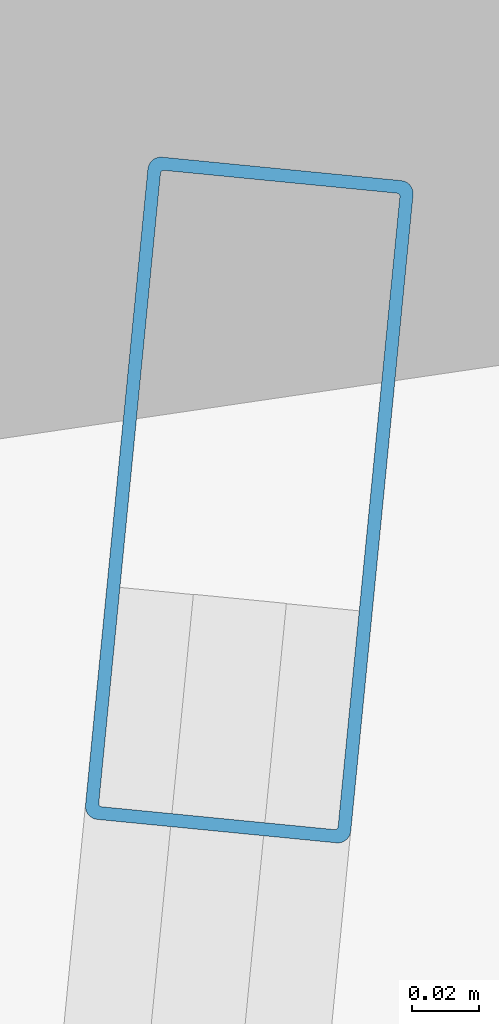
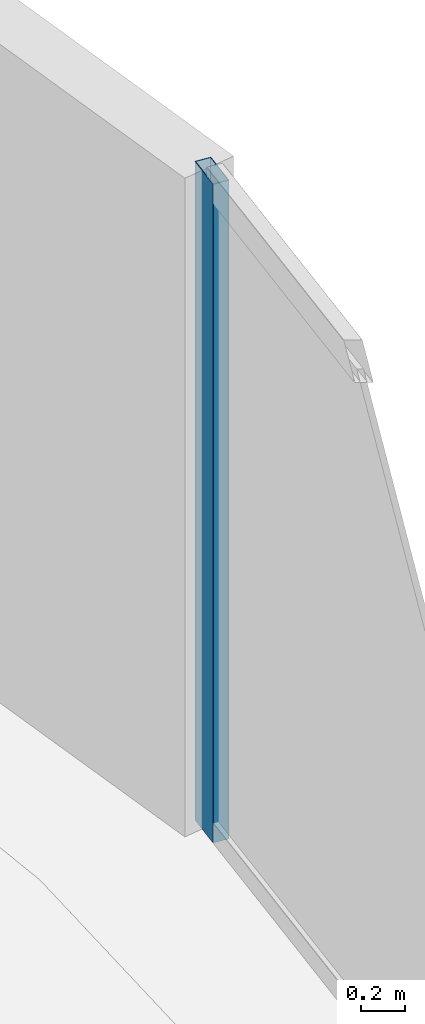
# One storey, part 11 of 25: 1 member, 1 element without a shape of its own.
"""IFC4 building model written with IfcOpenShell, lengths in metres."""

from ifc_helpers import new_model, si_unit, direction, frame, origin, origin_2d, place, context, subcontext, project, spatial, hollow_rectangle, extrude, material, layer, layer_set, material_profile, profile_set, type_object, element, aggregate, save


model = new_model("IFC4")

# Units and contexts
model_context = context("Model", 3, precision=1e-05, world=origin(), true_north=direction((0.0, 1.0)))
body_context = subcontext(model_context, "Body", "Model", "MODEL_VIEW")
ifc_project = project(units=[si_unit("LENGTHUNIT", "METRE"), si_unit("AREAUNIT", "SQUARE_METRE"), si_unit("VOLUMEUNIT", "CUBIC_METRE"), si_unit("PLANEANGLEUNIT", "RADIAN"), si_unit("MASSUNIT", "GRAM", prefix="KILO")], contexts=[model_context])

# Site, building, storey
site_placement = place(None, origin())
site = spatial("IfcSite", under=ifc_project, at=site_placement, CompositionType="ELEMENT")
building_placement = place(site_placement, origin())
building = spatial("IfcBuilding", under=site, at=building_placement, Name="Bramvorn Convention Spire", CompositionType="ELEMENT")
storey_placement = place(building_placement, frame((0.0, 0.0, 171.199951171875)))
storey = spatial("IfcBuildingStorey", under=building, at=storey_placement, Name="L43", CompositionType="ELEMENT", Elevation=171.199951171875)

# Curtain wall, member
ifc_material_1 = material(Name="Anodised Bronze Unitised Curtain Wall", Category="aluminium")
ifc_layer = layer(ifc_material_1, 0.179931640625)
ifc_layer_set = layer_set([ifc_layer], Name="Anodised Bronze Unitised Curtain Wall - CW-OFF-FRIT")
curtain_wall_type = type_object("IfcCurtainWallType", Name="CW-OFF-FRIT", PredefinedType="USERDEFINED", material=ifc_layer_set)
curtain_wall_placement = place(storey_placement, origin())
curtain_wall = element("IfcCurtainWall", 1, at=curtain_wall_placement, inside=storey, type_object=curtain_wall_type, Name="L43 fritted glass curtain wall 02", ObjectType="UNITISED CURTAIN WALL", PredefinedType="USERDEFINED")
ifc_material_2 = material(Name="Anodised Bronze Aluminium 6063-T6", Category="aluminium")
ifc_material_profile = material_profile(ifc_material_2, hollow_rectangle(XDim=0.080078125, YDim=0.199951171875, WallThickness=0.00390625, InnerFilletRadius=0.0009765625, OuterFilletRadius=0.00390625, at=origin_2d()))
ifc_profile_set = profile_set([ifc_material_profile], Name="Anodised Bronze Aluminium 6063-T6 - CWM80X200")
member_type = type_object("IfcMemberType", Name="CW-MUL-180", PredefinedType="MULLION", material=ifc_profile_set)
member_placement = place(storey_placement, frame((63.57666015625, 19.629638671875, 0.0), z_axis=(0.0, 0.0, 1.0), x_axis=(0.995233610911, -0.097519535036, 0.0)))
member = element("IfcMember", 2, at=member_placement, type_object=member_type, Name="CW3 mullion 1", PredefinedType="MULLION", context=body_context, shape_type="SweptSolid", body=[
    extrude(hollow_rectangle(XDim=0.080078125, YDim=0.199951171875, WallThickness=0.00390625, InnerFilletRadius=0.0009765625, OuterFilletRadius=0.00390625, at=origin_2d()), origin(), (0.0, 0.0, 1.0), 3.6201171875),
])
aggregate(curtain_wall, [member])

save(model, "model.ifc")
